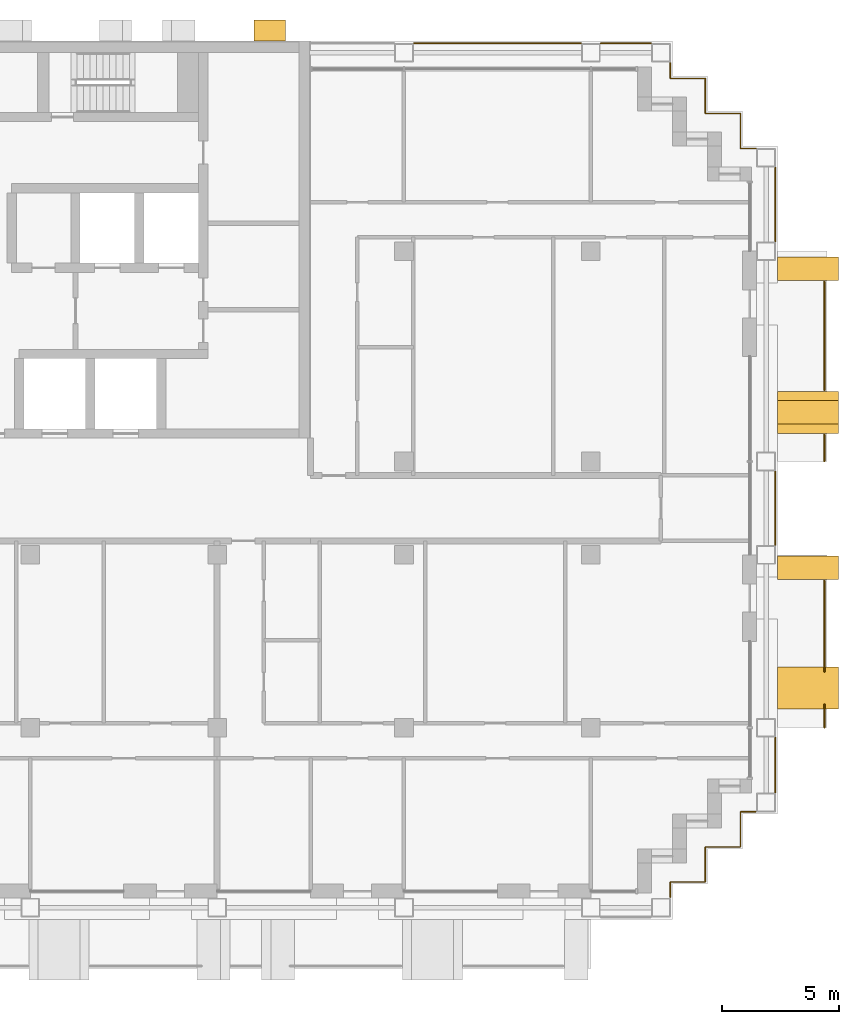
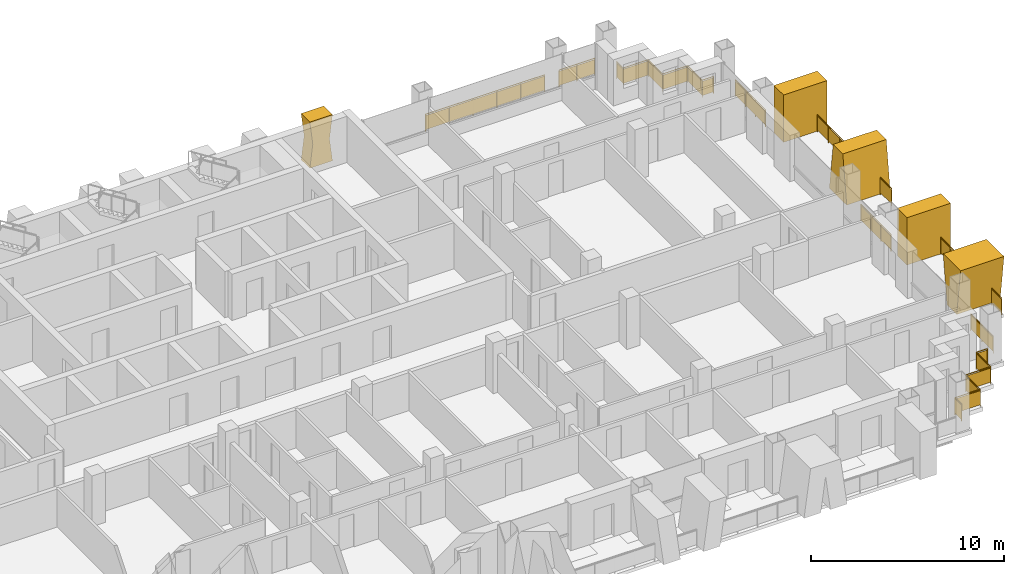
# One storey, part 16 of 16: 11 railings, 5 shading devices.
"""IFC4 building model written with IfcOpenShell, lengths in metres."""

from ifc_helpers import new_model, si_unit, direction, frame, origin, origin_2d, place, context, subcontext, project, spatial, polyline, rectangle, circle, outline, extrude, material, layer, layer_set, type_object, element, save


model = new_model("IFC4")

# Units and contexts
model_context = context("Model", 3, precision=1e-05, world=origin(), true_north=direction((0.0, 1.0)))
body_context = subcontext(model_context, "Body", "Model", "MODEL_VIEW")
ifc_project = project(units=[si_unit("LENGTHUNIT", "METRE"), si_unit("AREAUNIT", "SQUARE_METRE"), si_unit("VOLUMEUNIT", "CUBIC_METRE"), si_unit("PLANEANGLEUNIT", "RADIAN"), si_unit("MASSUNIT", "GRAM", prefix="KILO")], contexts=[model_context])

# Site, building, storey
site_placement = place(None, origin())
site = spatial("IfcSite", under=ifc_project, at=site_placement, CompositionType="ELEMENT")
building_placement = place(site_placement, origin())
building = spatial("IfcBuilding", under=site, at=building_placement, Name="Vidyagriha Tower", CompositionType="ELEMENT")
storey_placement = place(building_placement, frame((0.0, 0.0, 129.39990234375)))
storey = spatial("IfcBuildingStorey", under=building, at=storey_placement, Name="L33", CompositionType="ELEMENT", Elevation=129.39990234375)

# Railings
ifc_material_1 = material(Name="Steel ASTM A500 Grade C black painted", Category="steel")
railing_type_1 = type_object("IfcRailingType", Name="Balcony guard 1100", PredefinedType="BALUSTRADE", material=ifc_material_1)
railing_1_placement = place(storey_placement, frame((36.0, -9.39990234375, 0.0)))
element("IfcRailing", 1, at=railing_1_placement, inside=storey, type_object=railing_type_1, Name="Balcony guard L33 R30.1-1", PredefinedType="BALUSTRADE", context=body_context, shape_type="SweptSolid", body=[
    extrude(circle(Radius=0.02490234375, at=origin_2d()), frame((0.0, 0.0, 1.0751953125), z_axis=(0.0, 1.0, 0.0), x_axis=(-1.0, 0.0, 0.0)), (0.0, 0.0, 1.0), 0.99658203125),
    extrude(circle(Radius=0.02001953125, at=origin_2d()), origin(), (0.0, 0.0, 1.0), 1.050048828125),
    extrude(circle(Radius=0.02001953125, at=origin_2d()), frame((0.0, 0.99658203125, 0.0)), (0.0, 0.0, 1.0), 1.050048828125),
    extrude(rectangle(XDim=0.010009765625, YDim=0.900146484375, at=origin_2d()), frame((0.0, 0.0, 0.550048828125), z_axis=(0.0, 1.0, 0.0), x_axis=(-1.0, 0.0, 0.0)), (0.0, 0.0, 1.0), 0.99658203125),
])
railing_2_placement = place(storey_placement, frame((36.0, -6.99658203125, 0.0)))
element("IfcRailing", 2, at=railing_2_placement, inside=storey, type_object=railing_type_1, Name="Balcony guard L33 R30.1-2", PredefinedType="BALUSTRADE", context=body_context, shape_type="SweptSolid", body=[
    extrude(circle(Radius=0.02490234375, at=origin_2d()), frame((0.0, 0.0, 1.0751953125), z_axis=(0.0, 1.0, 0.0), x_axis=(-1.0, 0.0, 0.0)), (0.0, 0.0, 1.0), 3.896484375),
    extrude(circle(Radius=0.02001953125, at=origin_2d()), origin(), (0.0, 0.0, 1.0), 1.050048828125),
    extrude(circle(Radius=0.02001953125, at=origin_2d()), frame((0.0, 0.97412109375, 0.0)), (0.0, 0.0, 1.0), 1.050048828125),
    extrude(circle(Radius=0.02001953125, at=origin_2d()), frame((0.0, 1.9482421875, 0.0)), (0.0, 0.0, 1.0), 1.050048828125),
    extrude(circle(Radius=0.02001953125, at=origin_2d()), frame((0.0, 2.92236328125, 0.0)), (0.0, 0.0, 1.0), 1.050048828125),
    extrude(circle(Radius=0.02001953125, at=origin_2d()), frame((0.0, 3.896484375, 0.0)), (0.0, 0.0, 1.0), 1.050048828125),
    extrude(rectangle(XDim=0.010009765625, YDim=0.900146484375, at=origin_2d()), frame((0.0, 0.0, 0.550048828125), z_axis=(0.0, 1.0, 0.0), x_axis=(-1.0, 0.0, 0.0)), (0.0, 0.0, 1.0), 3.896484375),
])
railing_3_placement = place(storey_placement, frame((36.0, 2.0, 0.0)))
element("IfcRailing", 3, at=railing_3_placement, inside=storey, type_object=railing_type_1, Name="Balcony guard L33 R30.2-1", PredefinedType="BALUSTRADE", context=body_context, shape_type="SweptSolid", body=[
    extrude(circle(Radius=0.02490234375, at=origin_2d()), frame((0.0, 0.0, 1.0751953125), z_axis=(0.0, 1.0, 0.0), x_axis=(-1.0, 0.0, 0.0)), (0.0, 0.0, 1.0), 1.14990234375),
    extrude(circle(Radius=0.02001953125, at=origin_2d()), origin(), (0.0, 0.0, 1.0), 1.050048828125),
    extrude(circle(Radius=0.02001953125, at=origin_2d()), frame((0.0, 1.14990234375, 0.0)), (0.0, 0.0, 1.0), 1.050048828125),
    extrude(rectangle(XDim=0.010009765625, YDim=0.900146484375, at=origin_2d()), frame((0.0, 0.0, 0.550048828125), z_axis=(0.0, 1.0, 0.0), x_axis=(-1.0, 0.0, 0.0)), (0.0, 0.0, 1.0), 1.14990234375),
])
railing_4_placement = place(storey_placement, frame((36.0, 5.050048828125, 0.0)))
element("IfcRailing", 4, at=railing_4_placement, inside=storey, type_object=railing_type_1, Name="Balcony guard L33 R30.2-2", PredefinedType="BALUSTRADE", context=body_context, shape_type="SweptSolid", body=[
    extrude(circle(Radius=0.02490234375, at=origin_2d()), frame((0.0, 0.0, 1.0751953125), z_axis=(0.0, 1.0, 0.0), x_axis=(-1.0, 0.0, 0.0)), (0.0, 0.0, 1.0), 4.64990234375),
    extrude(circle(Radius=0.02001953125, at=origin_2d()), origin(), (0.0, 0.0, 1.0), 1.050048828125),
    extrude(circle(Radius=0.02001953125, at=origin_2d()), frame((0.0, 1.16259765625, 0.0)), (0.0, 0.0, 1.0), 1.050048828125),
    extrude(circle(Radius=0.02001953125, at=origin_2d()), frame((0.0, 2.324951171875, 0.0)), (0.0, 0.0, 1.0), 1.050048828125),
    extrude(circle(Radius=0.02001953125, at=origin_2d()), frame((0.0, 3.4873046875, 0.0)), (0.0, 0.0, 1.0), 1.050048828125),
    extrude(circle(Radius=0.02001953125, at=origin_2d()), frame((0.0, 4.64990234375, 0.0)), (0.0, 0.0, 1.0), 1.050048828125),
    extrude(rectangle(XDim=0.010009765625, YDim=0.900146484375, at=origin_2d()), frame((0.0, 0.0, 0.550048828125), z_axis=(0.0, 1.0, 0.0), x_axis=(-1.0, 0.0, 0.0)), (0.0, 0.0, 1.0), 4.64990234375),
])

# Shading devices
ifc_material_2 = material(Name="Precast concrete C40/50 with buff brick facing", Category="concrete")
ifc_layer_1 = layer(ifc_material_2, 1.0)
ifc_layer_set_1 = layer_set([ifc_layer_1], Name="Precast concrete C40/50 with buff brick facing")
shading_device_type_1 = type_object("IfcShadingDeviceType", Name="Brick-faced blade fin forking 8 degrees", PredefinedType="USERDEFINED", material=ifc_layer_set_1)
shading_device_1_placement = place(storey_placement, frame((35.300048828125, -8.60009765625, 0.0), z_axis=(0.0, 0.0, 1.0), x_axis=(0.0, 1.0, 0.0)))
element("IfcShadingDevice", 5, at=shading_device_1_placement, inside=storey, type_object=shading_device_type_1, Name="Forked blade fin L33 R30.220a", ObjectType="BLADE FIN", PredefinedType="USERDEFINED", context=body_context, shape_type="SweptSolid", body=[
    extrude(outline(polyline([(0.39990234375, 0.0), (1.39990234375, 0.0), (1.800048828125, 3.0), (0.0, 3.0), (0.39990234375, 0.0)])), frame((0.0, 1.300048828125, 0.0), z_axis=(0.0, -1.0, 0.0), x_axis=(1.0, 0.0, 0.0)), (0.0, 0.0, 1.0), 2.60009765625),
])
shading_device_2_placement = place(storey_placement, frame((35.300048828125, 3.199951171875, 0.0), z_axis=(0.0, 0.0, 1.0), x_axis=(0.0, 1.0, 0.0)))
element("IfcShadingDevice", 6, at=shading_device_2_placement, inside=storey, type_object=shading_device_type_1, Name="Forked blade fin L33 R30.1360a", ObjectType="BLADE FIN", PredefinedType="USERDEFINED", context=body_context, shape_type="SweptSolid", body=[
    extrude(outline(polyline([(0.0, 0.0), (1.800048828125, 0.0), (1.39990234375, 3.0), (0.39990234375, 3.0), (0.0, 0.0)])), frame((0.0, 1.300048828125, 0.0), z_axis=(0.0, -1.0, 0.0), x_axis=(1.0, 0.0, 0.0)), (0.0, 0.0, 1.0), 2.60009765625),
])
ifc_material_3 = material(Name="Precast concrete C40/50 with buff brick facing", Category="concrete")
ifc_layer_2 = layer(ifc_material_3, 1.0)
ifc_layer_set_2 = layer_set([ifc_layer_2], Name="Precast concrete C40/50 with buff brick facing")
shading_device_type_2 = type_object("IfcShadingDeviceType", Name="Brick-faced blade fin stem 1000", PredefinedType="USERDEFINED", material=ifc_layer_set_2)
for number, where, z_axis, x_axis, name in (
    (7, (35.300048828125, -3.050048828125, 0.0), (0.0, 0.0, 1.0), (0.0, 1.0, 0.0), "Stem blade fin L33 R30.960a"),
    (8, (35.300048828125, 9.75, 0.0), (0.0, 0.0, 1.0), (0.0, 1.0, 0.0), "Stem blade fin L33 R30.2260a"),
):
    element("IfcShadingDevice", number, at=place(storey_placement, frame(where, z_axis=z_axis, x_axis=x_axis)), inside=storey, type_object=shading_device_type_2, Name=name, ObjectType="BLADE FIN", PredefinedType="USERDEFINED", context=body_context, shape_type="SweptSolid", body=[
        extrude(outline(polyline([(0.0, 0.0), (1.0, 0.0), (1.0, 3.0), (0.0, 3.0), (0.0, 0.0)])), frame((0.0, 1.300048828125, 0.0), z_axis=(0.0, -1.0, 0.0), x_axis=(1.0, 0.0, 0.0)), (0.0, 0.0, 1.0), 2.60009765625),
    ])
ifc_material_4 = material(Name="Precast concrete C40/50 with brick facing", Category="concrete")
ifc_layer_3 = layer(ifc_material_4, 1.0)
ifc_layer_set_3 = layer_set([ifc_layer_3], Name="Precast concrete C40/50 with brick facing")
shading_device_type_3 = type_object("IfcShadingDeviceType", Name="Brick-faced rear rib forking 8 degrees", PredefinedType="USERDEFINED", material=ifc_layer_set_3)
shading_device_3_placement = place(storey_placement, frame((12.9287109375, 20.449951171875, 0.0), z_axis=(0.0, 0.0, 1.0), x_axis=(-1.0, 0.0, 0.0)))
element("IfcShadingDevice", 9, at=shading_device_3_placement, inside=storey, type_object=shading_device_type_3, Name="Rear rib fork L33 R08.1a", ObjectType="BLADE FIN", PredefinedType="USERDEFINED", context=body_context, shape_type="SweptSolid", body=[
    extrude(outline(polyline([(0.0, 0.0), (1.357177734375, 0.0), (1.1787109375, 1.460205078125), (1.357177734375, 2.920166015625), (0.0, 2.920166015625), (0.1787109375, 1.460205078125), (0.0, 0.0)])), frame((0.0, 0.449951171875, 0.0), z_axis=(0.0, -1.0, 0.0), x_axis=(1.0, 0.0, 0.0)), (0.0, 0.0, 1.0), 0.89990234375),
])

# Railings
ifc_material_5 = material(Name="Steel ASTM A500 Grade C black painted", Category="steel")
railing_type_2 = type_object("IfcRailingType", Name="Gallery guard 1100", PredefinedType="GUARDRAIL", material=ifc_material_5)
railing_5_placement = place(storey_placement, frame((18.429931640625, 19.89990234375, 0.0)))
element("IfcRailing", 10, at=railing_5_placement, inside=storey, type_object=railing_type_2, Name="Gallery guard L33 10", PredefinedType="GUARDRAIL", context=body_context, shape_type="SweptSolid", body=[
    extrude(circle(Radius=0.02490234375, at=origin_2d()), frame((0.0, 0.0, 1.0751953125), z_axis=(1.0, 0.0, 0.0), x_axis=(0.0, 1.0, 0.0)), (0.0, 0.0, 1.0), 7.14013671875),
    extrude(circle(Radius=0.02001953125, at=origin_2d()), origin(), (0.0, 0.0, 1.0), 1.050048828125),
    extrude(circle(Radius=0.02001953125, at=origin_2d()), frame((1.427978515625, 0.0, 0.0)), (0.0, 0.0, 1.0), 1.050048828125),
    extrude(circle(Radius=0.02001953125, at=origin_2d()), frame((2.85595703125, 0.0, 0.0)), (0.0, 0.0, 1.0), 1.050048828125),
    extrude(circle(Radius=0.02001953125, at=origin_2d()), frame((4.2841796875, 0.0, 0.0)), (0.0, 0.0, 1.0), 1.050048828125),
    extrude(circle(Radius=0.02001953125, at=origin_2d()), frame((5.712158203125, 0.0, 0.0)), (0.0, 0.0, 1.0), 1.050048828125),
    extrude(circle(Radius=0.02001953125, at=origin_2d()), frame((7.14013671875, 0.0, 0.0)), (0.0, 0.0, 1.0), 1.050048828125),
    extrude(rectangle(XDim=0.010009765625, YDim=0.900146484375, at=origin_2d()), frame((0.0, 0.0, 0.550048828125), z_axis=(1.0, 0.0, 0.0), x_axis=(0.0, 1.0, 0.0)), (0.0, 0.0, 1.0), 7.14013671875),
])
railing_6_placement = place(storey_placement, frame((26.429931640625, 19.89990234375, 0.0)))
element("IfcRailing", 11, at=railing_6_placement, inside=storey, type_object=railing_type_2, Name="Gallery guard L33 12", PredefinedType="GUARDRAIL", context=body_context, shape_type="SweptSolid", body=[
    extrude(circle(Radius=0.02490234375, at=origin_2d()), frame((0.0, 0.0, 1.0751953125), z_axis=(1.0, 0.0, 0.0), x_axis=(0.0, 1.0, 0.0)), (0.0, 0.0, 1.0), 2.14013671875),
    extrude(circle(Radius=0.02001953125, at=origin_2d()), origin(), (0.0, 0.0, 1.0), 1.050048828125),
    extrude(circle(Radius=0.02001953125, at=origin_2d()), frame((1.070068359375, 0.0, 0.0)), (0.0, 0.0, 1.0), 1.050048828125),
    extrude(circle(Radius=0.02001953125, at=origin_2d()), frame((2.14013671875, 0.0, 0.0)), (0.0, 0.0, 1.0), 1.050048828125),
    extrude(rectangle(XDim=0.010009765625, YDim=0.900146484375, at=origin_2d()), frame((0.0, 0.0, 0.550048828125), z_axis=(1.0, 0.0, 0.0), x_axis=(0.0, 1.0, 0.0)), (0.0, 0.0, 1.0), 2.14013671875),
])
railing_7_placement = place(storey_placement, frame((33.070068359375, -13.0, 0.0)))
element("IfcRailing", 12, at=railing_7_placement, inside=storey, type_object=railing_type_2, Name="Gallery guard L33 13", PredefinedType="GUARDRAIL", context=body_context, shape_type="SweptSolid", body=[
    extrude(circle(Radius=0.02490234375, at=origin_2d()), frame((0.0, 0.0, 1.0751953125), z_axis=(-1.0, 0.0, 0.0), x_axis=(0.0, -1.0, 0.0)), (0.0, 0.0, 1.0), 0.670166015625),
    extrude(circle(Radius=0.02490234375, at=origin_2d()), frame((-0.670166015625, 0.0, 1.0751953125), z_axis=(0.0, -1.0, 0.0), x_axis=(1.0, 0.0, 0.0)), (0.0, 0.0, 1.0), 1.5),
    extrude(circle(Radius=0.02490234375, at=origin_2d()), frame((-0.670166015625, -1.5, 1.0751953125), z_axis=(-1.0, 0.0, 0.0), x_axis=(0.0, -1.0, 0.0)), (0.0, 0.0, 1.0), 1.5),
    extrude(circle(Radius=0.02490234375, at=origin_2d()), frame((-2.170166015625, -1.5, 1.0751953125), z_axis=(0.0, -1.0, 0.0), x_axis=(1.0, 0.0, 0.0)), (0.0, 0.0, 1.0), 1.5),
    extrude(circle(Radius=0.02490234375, at=origin_2d()), frame((-2.170166015625, -3.0, 1.0751953125), z_axis=(-1.0, 0.0, 0.0), x_axis=(0.0, -1.0, 0.0)), (0.0, 0.0, 1.0), 1.5),
    extrude(circle(Radius=0.02490234375, at=origin_2d()), frame((-3.670166015625, -3.0, 1.0751953125), z_axis=(0.0, -1.0, 0.0), x_axis=(1.0, 0.0, 0.0)), (0.0, 0.0, 1.0), 0.669921875),
    extrude(circle(Radius=0.02001953125, at=origin_2d()), origin(), (0.0, 0.0, 1.0), 1.050048828125),
    extrude(circle(Radius=0.02001953125, at=origin_2d()), frame((-0.670166015625, 0.0, 0.0)), (0.0, 0.0, 1.0), 1.050048828125),
    extrude(circle(Radius=0.02001953125, at=origin_2d()), frame((-0.670166015625, -1.5, 0.0)), (0.0, 0.0, 1.0), 1.050048828125),
    extrude(circle(Radius=0.02001953125, at=origin_2d()), frame((-2.170166015625, -1.5, 0.0)), (0.0, 0.0, 1.0), 1.050048828125),
    extrude(circle(Radius=0.02001953125, at=origin_2d()), frame((-2.170166015625, -3.0, 0.0)), (0.0, 0.0, 1.0), 1.050048828125),
    extrude(circle(Radius=0.02001953125, at=origin_2d()), frame((-3.670166015625, -3.0, 0.0)), (0.0, 0.0, 1.0), 1.050048828125),
    extrude(circle(Radius=0.02001953125, at=origin_2d()), frame((-3.670166015625, -3.669921875, 0.0)), (0.0, 0.0, 1.0), 1.050048828125),
    extrude(rectangle(XDim=0.010009765625, YDim=0.900146484375, at=origin_2d()), frame((0.0, 0.0, 0.550048828125), z_axis=(-1.0, 0.0, 0.0), x_axis=(0.0, -1.0, 0.0)), (0.0, 0.0, 1.0), 0.670166015625),
    extrude(rectangle(XDim=0.010009765625, YDim=0.900146484375, at=origin_2d()), frame((-0.670166015625, 0.0, 0.550048828125), z_axis=(0.0, -1.0, 0.0), x_axis=(1.0, 0.0, 0.0)), (0.0, 0.0, 1.0), 1.5),
    extrude(rectangle(XDim=0.010009765625, YDim=0.900146484375, at=origin_2d()), frame((-0.670166015625, -1.5, 0.550048828125), z_axis=(-1.0, 0.0, 0.0), x_axis=(0.0, -1.0, 0.0)), (0.0, 0.0, 1.0), 1.5),
    extrude(rectangle(XDim=0.010009765625, YDim=0.900146484375, at=origin_2d()), frame((-2.170166015625, -1.5, 0.550048828125), z_axis=(0.0, -1.0, 0.0), x_axis=(1.0, 0.0, 0.0)), (0.0, 0.0, 1.0), 1.5),
    extrude(rectangle(XDim=0.010009765625, YDim=0.900146484375, at=origin_2d()), frame((-2.170166015625, -3.0, 0.550048828125), z_axis=(-1.0, 0.0, 0.0), x_axis=(0.0, -1.0, 0.0)), (0.0, 0.0, 1.0), 1.5),
    extrude(rectangle(XDim=0.010009765625, YDim=0.900146484375, at=origin_2d()), frame((-3.670166015625, -3.0, 0.550048828125), z_axis=(0.0, -1.0, 0.0), x_axis=(1.0, 0.0, 0.0)), (0.0, 0.0, 1.0), 0.669921875),
])
railing_8_placement = place(storey_placement, frame((29.39990234375, 19.070068359375, 0.0)))
element("IfcRailing", 13, at=railing_8_placement, inside=storey, type_object=railing_type_2, Name="Gallery guard L33 14", PredefinedType="GUARDRAIL", context=body_context, shape_type="SweptSolid", body=[
    extrude(circle(Radius=0.02490234375, at=origin_2d()), frame((0.0, 0.0, 1.0751953125), z_axis=(0.0, -1.0, 0.0), x_axis=(1.0, 0.0, 0.0)), (0.0, 0.0, 1.0), 0.670166015625),
    extrude(circle(Radius=0.02490234375, at=origin_2d()), frame((0.0, -0.670166015625, 1.0751953125), z_axis=(1.0, 0.0, 0.0), x_axis=(0.0, 1.0, 0.0)), (0.0, 0.0, 1.0), 1.5),
    extrude(circle(Radius=0.02490234375, at=origin_2d()), frame((1.5, -0.670166015625, 1.0751953125), z_axis=(0.0, -1.0, 0.0), x_axis=(1.0, 0.0, 0.0)), (0.0, 0.0, 1.0), 1.5),
    extrude(circle(Radius=0.02490234375, at=origin_2d()), frame((1.5, -2.170166015625, 1.0751953125), z_axis=(1.0, 0.0, 0.0), x_axis=(0.0, 1.0, 0.0)), (0.0, 0.0, 1.0), 1.5),
    extrude(circle(Radius=0.02490234375, at=origin_2d()), frame((3.0, -2.170166015625, 1.0751953125), z_axis=(0.0, -1.0, 0.0), x_axis=(1.0, 0.0, 0.0)), (0.0, 0.0, 1.0), 1.5),
    extrude(circle(Radius=0.02490234375, at=origin_2d()), frame((3.0, -3.670166015625, 1.0751953125), z_axis=(1.0, 0.0, 0.0), x_axis=(0.0, 1.0, 0.0)), (0.0, 0.0, 1.0), 0.670166015625),
    extrude(circle(Radius=0.02001953125, at=origin_2d()), origin(), (0.0, 0.0, 1.0), 1.050048828125),
    extrude(circle(Radius=0.02001953125, at=origin_2d()), frame((0.0, -0.670166015625, 0.0)), (0.0, 0.0, 1.0), 1.050048828125),
    extrude(circle(Radius=0.02001953125, at=origin_2d()), frame((1.5, -0.670166015625, 0.0)), (0.0, 0.0, 1.0), 1.050048828125),
    extrude(circle(Radius=0.02001953125, at=origin_2d()), frame((1.5, -2.170166015625, 0.0)), (0.0, 0.0, 1.0), 1.050048828125),
    extrude(circle(Radius=0.02001953125, at=origin_2d()), frame((3.0, -2.170166015625, 0.0)), (0.0, 0.0, 1.0), 1.050048828125),
    extrude(circle(Radius=0.02001953125, at=origin_2d()), frame((3.0, -3.670166015625, 0.0)), (0.0, 0.0, 1.0), 1.050048828125),
    extrude(circle(Radius=0.02001953125, at=origin_2d()), frame((3.670166015625, -3.670166015625, 0.0)), (0.0, 0.0, 1.0), 1.050048828125),
    extrude(rectangle(XDim=0.010009765625, YDim=0.900146484375, at=origin_2d()), frame((0.0, 0.0, 0.550048828125), z_axis=(0.0, -1.0, 0.0), x_axis=(1.0, 0.0, 0.0)), (0.0, 0.0, 1.0), 0.670166015625),
    extrude(rectangle(XDim=0.010009765625, YDim=0.900146484375, at=origin_2d()), frame((0.0, -0.670166015625, 0.550048828125), z_axis=(1.0, 0.0, 0.0), x_axis=(0.0, 1.0, 0.0)), (0.0, 0.0, 1.0), 1.5),
    extrude(rectangle(XDim=0.010009765625, YDim=0.900146484375, at=origin_2d()), frame((1.5, -0.670166015625, 0.550048828125), z_axis=(0.0, -1.0, 0.0), x_axis=(1.0, 0.0, 0.0)), (0.0, 0.0, 1.0), 1.5),
    extrude(rectangle(XDim=0.010009765625, YDim=0.900146484375, at=origin_2d()), frame((1.5, -2.170166015625, 0.550048828125), z_axis=(1.0, 0.0, 0.0), x_axis=(0.0, 1.0, 0.0)), (0.0, 0.0, 1.0), 1.5),
    extrude(rectangle(XDim=0.010009765625, YDim=0.900146484375, at=origin_2d()), frame((3.0, -2.170166015625, 0.550048828125), z_axis=(0.0, -1.0, 0.0), x_axis=(1.0, 0.0, 0.0)), (0.0, 0.0, 1.0), 1.5),
    extrude(rectangle(XDim=0.010009765625, YDim=0.900146484375, at=origin_2d()), frame((3.0, -3.670166015625, 0.550048828125), z_axis=(1.0, 0.0, 0.0), x_axis=(0.0, 1.0, 0.0)), (0.0, 0.0, 1.0), 0.670166015625),
])
railing_9_placement = place(storey_placement, frame((33.89990234375, -9.830078125, 0.0)))
element("IfcRailing", 14, at=railing_9_placement, inside=storey, type_object=railing_type_2, Name="Gallery guard L33 15", PredefinedType="GUARDRAIL", context=body_context, shape_type="SweptSolid", body=[
    extrude(circle(Radius=0.02490234375, at=origin_2d()), frame((0.0, 0.0, 1.0751953125), z_axis=(0.0, -1.0, 0.0), x_axis=(1.0, 0.0, 0.0)), (0.0, 0.0, 1.0), 2.33984375),
    extrude(circle(Radius=0.02001953125, at=origin_2d()), origin(), (0.0, 0.0, 1.0), 1.050048828125),
    extrude(circle(Radius=0.02001953125, at=origin_2d()), frame((0.0, -1.169921875, 0.0)), (0.0, 0.0, 1.0), 1.050048828125),
    extrude(circle(Radius=0.02001953125, at=origin_2d()), frame((0.0, -2.33984375, 0.0)), (0.0, 0.0, 1.0), 1.050048828125),
    extrude(rectangle(XDim=0.010009765625, YDim=0.900146484375, at=origin_2d()), frame((0.0, 0.0, 0.550048828125), z_axis=(0.0, -1.0, 0.0), x_axis=(1.0, 0.0, 0.0)), (0.0, 0.0, 1.0), 2.33984375),
])
for number, where, name in (
    (15, (33.89990234375, 1.570068359375, 0.0), "Gallery guard L33 16"),
    (16, (33.89990234375, 14.570068359375, 0.0), "Gallery guard L33 17"),
):
    element("IfcRailing", number, at=place(storey_placement, frame(where)), inside=storey, type_object=railing_type_2, Name=name, PredefinedType="GUARDRAIL", context=body_context, shape_type="SweptSolid", body=[
        extrude(circle(Radius=0.02490234375, at=origin_2d()), frame((0.0, 0.0, 1.0751953125), z_axis=(0.0, -1.0, 0.0), x_axis=(1.0, 0.0, 0.0)), (0.0, 0.0, 1.0), 3.14013671875),
        extrude(circle(Radius=0.02001953125, at=origin_2d()), origin(), (0.0, 0.0, 1.0), 1.050048828125),
        extrude(circle(Radius=0.02001953125, at=origin_2d()), frame((0.0, -1.046630859375, 0.0)), (0.0, 0.0, 1.0), 1.050048828125),
        extrude(circle(Radius=0.02001953125, at=origin_2d()), frame((0.0, -2.093505859375, 0.0)), (0.0, 0.0, 1.0), 1.050048828125),
        extrude(circle(Radius=0.02001953125, at=origin_2d()), frame((0.0, -3.14013671875, 0.0)), (0.0, 0.0, 1.0), 1.050048828125),
        extrude(rectangle(XDim=0.010009765625, YDim=0.900146484375, at=origin_2d()), frame((0.0, 0.0, 0.550048828125), z_axis=(0.0, -1.0, 0.0), x_axis=(1.0, 0.0, 0.0)), (0.0, 0.0, 1.0), 3.14013671875),
    ])

save(model, "model.ifc")
